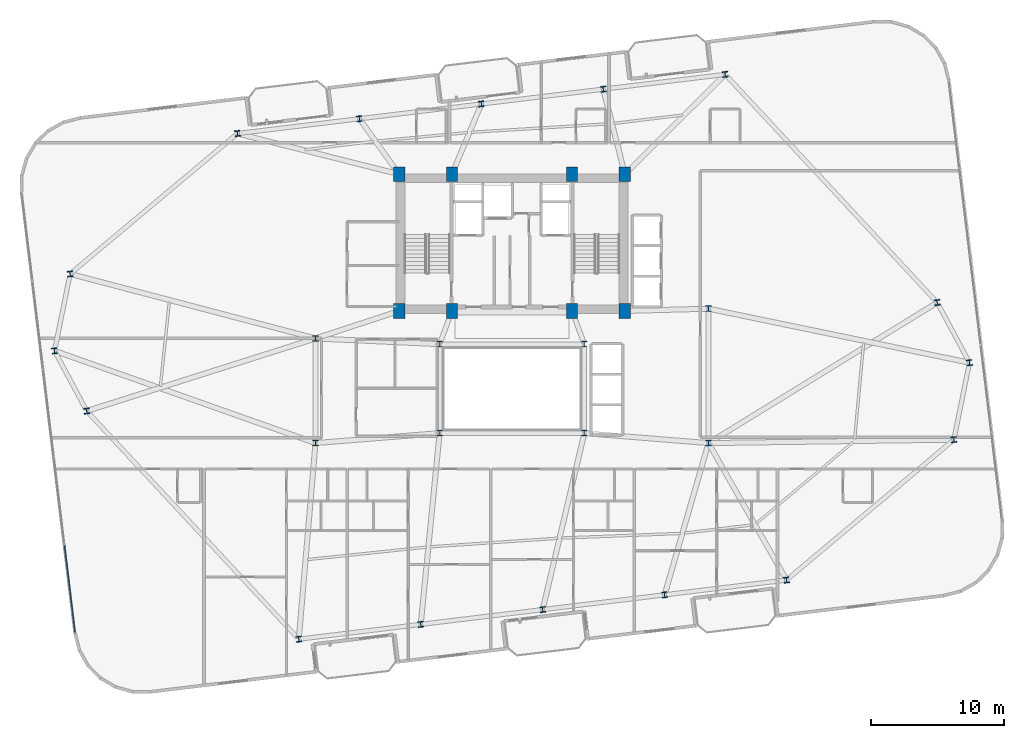
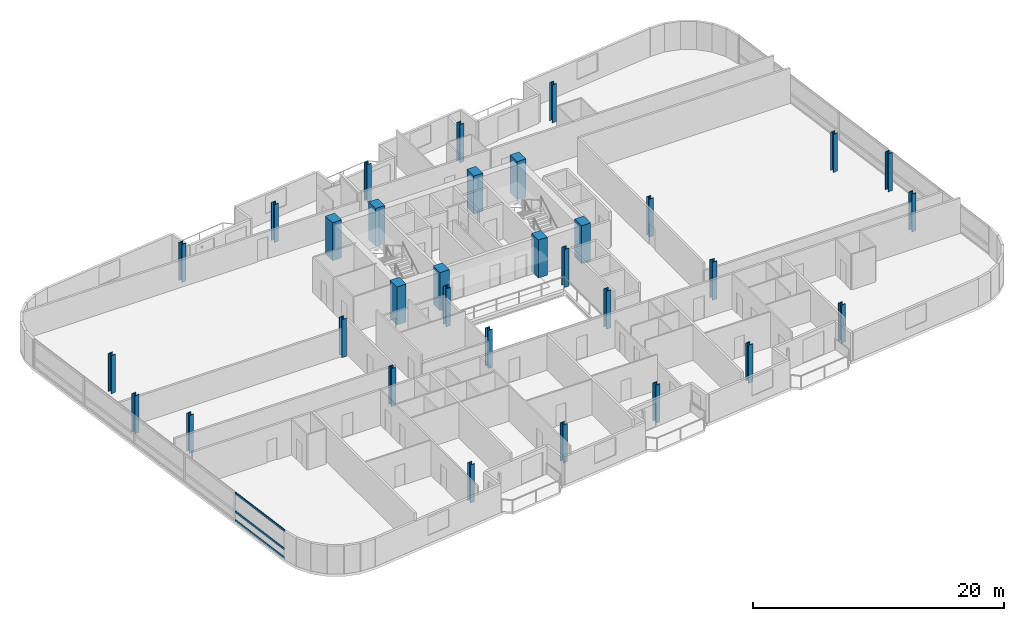
# One storey, part 1 of 23: 32 columns, 3 members, 1 element without a shape of its own.
"""IFC4 building model written with IfcOpenShell, lengths in metres."""

from ifc_helpers import new_model, si_unit, direction, frame, origin, origin_2d, place, context, subcontext, project, spatial, rectangle, hollow_rectangle, i_section, extrude, material, layer, layer_set, material_profile, profile_set, type_object, element, aggregate, save


model = new_model("IFC4")

# Units and contexts
model_context = context("Model", 3, precision=1e-05, world=origin(), true_north=direction((0.0, 1.0)))
body_context = subcontext(model_context, "Body", "Model", "MODEL_VIEW")
ifc_project = project(units=[si_unit("LENGTHUNIT", "METRE"), si_unit("AREAUNIT", "SQUARE_METRE"), si_unit("VOLUMEUNIT", "CUBIC_METRE"), si_unit("PLANEANGLEUNIT", "RADIAN"), si_unit("MASSUNIT", "GRAM", prefix="KILO")], contexts=[model_context])

# Site, building, storey
site_placement = place(None, origin())
site = spatial("IfcSite", under=ifc_project, at=site_placement, CompositionType="ELEMENT")
building_placement = place(site_placement, origin())
building = spatial("IfcBuilding", under=site, at=building_placement, Name="Varnelok Gate Tower", CompositionType="ELEMENT")
storey_placement = place(building_placement, frame((0.0, 0.0, 174.60009765625)))
storey = spatial("IfcBuildingStorey", under=building, at=storey_placement, Name="L44", CompositionType="ELEMENT", Elevation=174.60009765625)

# Columns
ifc_material_1 = material(Name="Concrete C60/75", Category="concrete")
ifc_material_profile_1 = material_profile(ifc_material_1, rectangle(XDim=0.85009765625, YDim=1.10009765625, at=origin_2d()), Name="RC1100X850")
ifc_profile_set_1 = profile_set([ifc_material_profile_1], Name="Concrete C60/75")
column_type_1 = type_object("IfcColumnType", Name="COL-RC1100X850", PredefinedType="COLUMN", material=ifc_profile_set_1)
for number, where, z_axis, x_axis, name in (
    (1, (30.699951171875, 28.75, 0.0), (0.0, 0.0, 1.0), (1.0, 0.0, 0.0), "L44 Core Spine Column SC1"),
    (2, (34.679931640625, 28.75, 0.0), (0.0, 0.0, 1.0), (1.0, 0.0, 0.0), "L44 Core Spine Column SC2"),
    (3, (43.719970703125, 28.75, 0.0), (0.0, 0.0, 1.0), (1.0, 0.0, 0.0), "L44 Core Spine Column SC3"),
    (4, (47.699951171875, 28.75, 0.0), (0.0, 0.0, 1.0), (1.0, 0.0, 0.0), "L44 Core Spine Column SC4"),
    (5, (30.699951171875, 39.050048828125, 0.0), (0.0, 0.0, 1.0), (1.0, 0.0, 0.0), "L44 Core Spine Column SC5"),
    (6, (34.679931640625, 39.050048828125, 0.0), (0.0, 0.0, 1.0), (1.0, 0.0, 0.0), "L44 Core Spine Column SC6"),
    (7, (43.719970703125, 39.050048828125, 0.0), (0.0, 0.0, 1.0), (1.0, 0.0, 0.0), "L44 Core Spine Column SC7"),
    (8, (47.699951171875, 39.050048828125, 0.0), (0.0, 0.0, 1.0), (1.0, 0.0, 0.0), "L44 Core Spine Column SC8"),
):
    element("IfcColumn", number, at=place(storey_placement, frame(where, z_axis=z_axis, x_axis=x_axis)), inside=storey, type_object=column_type_1, Name=name, PredefinedType="COLUMN", context=body_context, shape_type="SweptSolid", body=[
        extrude(rectangle(XDim=0.85009765625, YDim=1.10009765625, at=origin_2d()), origin(), (0.0, 0.0, 1.0), 3.699951171875),
    ])
ifc_material_2 = material(Name="Structural Steel ASTM A992 Grade 50", Category="steel")
ifc_material_profile_2 = material_profile(ifc_material_2, i_section(OverallWidth=0.412109375, OverallDepth=0.43505859375, WebThickness=0.035888671875, FlangeThickness=0.057373046875, FilletRadius=0.02490234375, at=origin_2d()), Name="W14X311")
ifc_profile_set_2 = profile_set([ifc_material_profile_2], Name="Structural Steel ASTM A992 Grade 50")
column_type_2 = type_object("IfcColumnType", Name="COL-W14X311", PredefinedType="COLUMN", material=ifc_profile_set_2)
for number, where, z_axis, x_axis, name in (
    (9, (23.142578125, 4.032958984375, 0.0), (0.0, 0.0, 1.0), (0.992732158755, 0.12034475881, 0.0), "L44 B4 Perimeter Column PC01"),
    (10, (32.325439453125, 5.146240234375, 0.0), (0.0, 0.0, 1.0), (0.992732158755, 0.12034475881, 0.0), "L44 B4 Perimeter Column PC02"),
    (11, (41.50830078125, 6.259521484375, 0.0), (0.0, 0.0, 1.0), (0.992732158755, 0.12034475881, 0.0), "L44 B4 Perimeter Column PC03"),
    (12, (50.69091796875, 7.37255859375, 0.0), (0.0, 0.0, 1.0), (0.992732158755, 0.12034475881, 0.0), "L44 B4 Perimeter Column PC04"),
    (13, (59.873779296875, 8.48583984375, 0.0), (0.0, 0.0, 1.0), (0.992732158755, 0.12034475881, 0.0), "L44 B4 Perimeter Column PC05"),
    (14, (72.476806640625, 19.059326171875, 0.0), (0.0, 0.0, 1.0), (0.992732158755, 0.12034475881, 0.0), "L44 B4 Perimeter Column PC06"),
    (15, (73.654296875, 24.85302734375, 0.0), (0.0, 0.0, 1.0), (0.992732158755, 0.12034475881, 0.0), "L44 B4 Perimeter Column PC07"),
    (16, (71.225341796875, 29.3837890625, 0.0), (0.0, 0.0, 1.0), (0.992732158755, 0.12034475881, 0.0), "L44 B4 Perimeter Column PC08"),
    (17, (55.25732421875, 46.56689453125, 0.0), (0.0, 0.0, 1.0), (0.992732158755, 0.12034475881, 0.0), "L44 B4 Perimeter Column PC09"),
    (18, (46.07470703125, 45.453857421875, 0.0), (0.0, 0.0, 1.0), (0.992732158755, 0.12034475881, 0.0), "L44 B4 Perimeter Column PC10"),
    (19, (36.891845703125, 44.340576171875, 0.0), (0.0, 0.0, 1.0), (0.992732158755, 0.12034475881, 0.0), "L44 B4 Perimeter Column PC11"),
    (20, (27.708984375, 43.227294921875, 0.0), (0.0, 0.0, 1.0), (0.992732158755, 0.12034475881, 0.0), "L44 B4 Perimeter Column PC12"),
    (21, (18.526123046875, 42.1142578125, 0.0), (0.0, 0.0, 1.0), (0.992732158755, 0.12034475881, 0.0), "L44 B4 Perimeter Column PC13"),
    (22, (5.923095703125, 31.540771484375, 0.0), (0.0, 0.0, 1.0), (0.992732158755, 0.12034475881, 0.0), "L44 B4 Perimeter Column PC14"),
    (23, (4.745849609375, 25.746826171875, 0.0), (0.0, 0.0, 1.0), (0.992732158755, 0.12034475881, 0.0), "L44 B4 Perimeter Column PC15"),
    (24, (7.1748046875, 21.21630859375, 0.0), (0.0, 0.0, 1.0), (0.992732158755, 0.12034475881, 0.0), "L44 B4 Perimeter Column PC16"),
):
    element("IfcColumn", number, at=place(storey_placement, frame(where, z_axis=z_axis, x_axis=x_axis)), inside=storey, type_object=column_type_2, Name=name, PredefinedType="COLUMN", context=body_context, shape_type="SweptSolid", body=[
        extrude(i_section(OverallWidth=0.412109375, OverallDepth=0.43505859375, WebThickness=0.035888671875, FlangeThickness=0.057373046875, FilletRadius=0.02490234375, at=origin_2d()), origin(), (0.0, 0.0, 1.0), 3.699951171875),
    ])
ifc_material_profile_3 = material_profile(ifc_material_2, i_section(OverallWidth=0.41796875, OverallDepth=0.455078125, WebThickness=0.0419921875, FlangeThickness=0.067626953125, FilletRadius=0.02490234375, at=origin_2d()), Name="W14X370")
ifc_profile_set_3 = profile_set([ifc_material_profile_3], Name="Structural Steel ASTM A992 Grade 50")
column_type_3 = type_object("IfcColumnType", Name="COL-W14X370", PredefinedType="COLUMN", material=ifc_profile_set_3)
for number, where, z_axis, x_axis, name in (
    (25, (33.75, 19.550048828125, 0.0), (0.0, 0.0, 1.0), (1.0, 0.0, 0.0), "L44 Atrium Spine Column AC1"),
    (26, (44.64990234375, 19.550048828125, 0.0), (0.0, 0.0, 1.0), (1.0, 0.0, 0.0), "L44 Atrium Spine Column AC2"),
    (27, (33.75, 26.25, 0.0), (0.0, 0.0, 1.0), (1.0, 0.0, 0.0), "L44 Atrium Spine Column AC3"),
    (28, (44.64990234375, 26.25, 0.0), (0.0, 0.0, 1.0), (1.0, 0.0, 0.0), "L44 Atrium Spine Column AC4"),
    (29, (24.39990234375, 18.800048828125, 0.0), (0.0, 0.0, 1.0), (1.0, 0.0, 0.0), "L44 Wing Spine Column WS1"),
    (30, (24.39990234375, 26.679931640625, 0.0), (0.0, 0.0, 1.0), (1.0, 0.0, 0.0), "L44 Wing Spine Column WS2"),
    (31, (54.0, 18.800048828125, 0.0), (0.0, 0.0, 1.0), (1.0, 0.0, 0.0), "L44 Wing Spine Column ES1"),
    (32, (54.0, 28.919921875, 0.0), (0.0, 0.0, 1.0), (1.0, 0.0, 0.0), "L44 Wing Spine Column ES2"),
):
    element("IfcColumn", number, at=place(storey_placement, frame(where, z_axis=z_axis, x_axis=x_axis)), inside=storey, type_object=column_type_3, Name=name, PredefinedType="COLUMN", context=body_context, shape_type="SweptSolid", body=[
        extrude(i_section(OverallWidth=0.41796875, OverallDepth=0.455078125, WebThickness=0.0419921875, FlangeThickness=0.067626953125, FilletRadius=0.02490234375, at=origin_2d()), origin(), (0.0, 0.0, 1.0), 3.699951171875),
    ])

# Curtain wall, members
ifc_material_3 = material(Name="Anodized Aluminum Alloy 6063-T6", Category="aluminium")
ifc_layer = layer(ifc_material_3, 0.179931640625)
ifc_layer_set = layer_set([ifc_layer], Name="Anodized Aluminum Alloy 6063-T6")
curtain_wall_type = type_object("IfcCurtainWallType", Name="CW4-RESIDENCE-VISION", PredefinedType="USERDEFINED", material=ifc_layer_set)
curtain_wall_placement = place(storey_placement, origin())
curtain_wall = element("IfcCurtainWall", 33, at=curtain_wall_placement, inside=storey, type_object=curtain_wall_type, Name="L44 West End Vision Curtain Wall", ObjectType="UNITISED CURTAIN WALL", PredefinedType="USERDEFINED")
ifc_material_profile_4 = material_profile(ifc_material_3, hollow_rectangle(XDim=0.074951171875, YDim=0.199951171875, WallThickness=0.00390625, at=origin_2d()), Name="ALU200X75X4")
ifc_profile_set_4 = profile_set([ifc_material_profile_4], Name="Anodized Aluminum Alloy 6063-T6")
member_type = type_object("IfcMemberType", Name="CW-TRAN-200", PredefinedType="USERDEFINED", material=ifc_profile_set_4)
member_1_placement = place(storey_placement, frame((6.29638671875, 4.564453125, 0.037353515625), z_axis=(-0.120369113246, 0.992729206066, 0.0), x_axis=(-0.992729206066, -0.120369113246, 0.0)))
member_1 = element("IfcMember", 34, at=member_1_placement, type_object=member_type, Name="CW4 transom 1.1", ObjectType="TRANSOM", PredefinedType="USERDEFINED", context=body_context, shape_type="SweptSolid", body=[
    extrude(hollow_rectangle(XDim=0.074951171875, YDim=0.199951171875, WallThickness=0.00390625, at=origin_2d()), origin(), (0.0, 0.0, 1.0), 6.567626953125),
])
member_2_placement = place(storey_placement, frame((6.29638671875, 4.564453125, 0.89990234375), z_axis=(-0.120369113246, 0.992729206066, 0.0), x_axis=(-0.992729206066, -0.120369113246, 0.0)))
member_2 = element("IfcMember", 35, at=member_2_placement, type_object=member_type, Name="CW4 transom 1.2", ObjectType="TRANSOM", PredefinedType="USERDEFINED", context=body_context, shape_type="SweptSolid", body=[
    extrude(hollow_rectangle(XDim=0.074951171875, YDim=0.199951171875, WallThickness=0.00390625, at=origin_2d()), origin(), (0.0, 0.0, 1.0), 6.567626953125),
])
member_3_placement = place(storey_placement, frame((6.29638671875, 4.564453125, 2.6923828125), z_axis=(-0.120369113246, 0.992729206066, 0.0), x_axis=(-0.992729206066, -0.120369113246, 0.0)))
member_3 = element("IfcMember", 36, at=member_3_placement, type_object=member_type, Name="CW4 transom 1.3", ObjectType="TRANSOM", PredefinedType="USERDEFINED", context=body_context, shape_type="SweptSolid", body=[
    extrude(hollow_rectangle(XDim=0.074951171875, YDim=0.199951171875, WallThickness=0.00390625, at=origin_2d()), origin(), (0.0, 0.0, 1.0), 6.567626953125),
])
aggregate(curtain_wall, [member_1, member_2, member_3])

save(model, "model.ifc")
